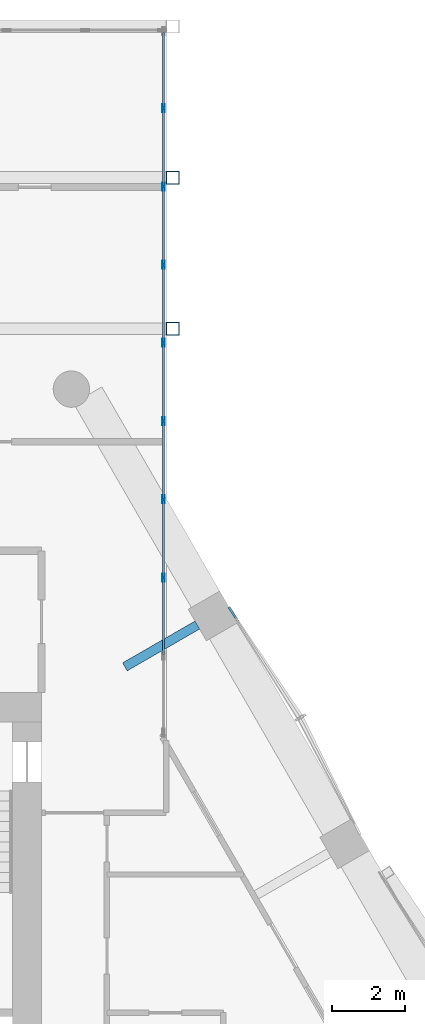
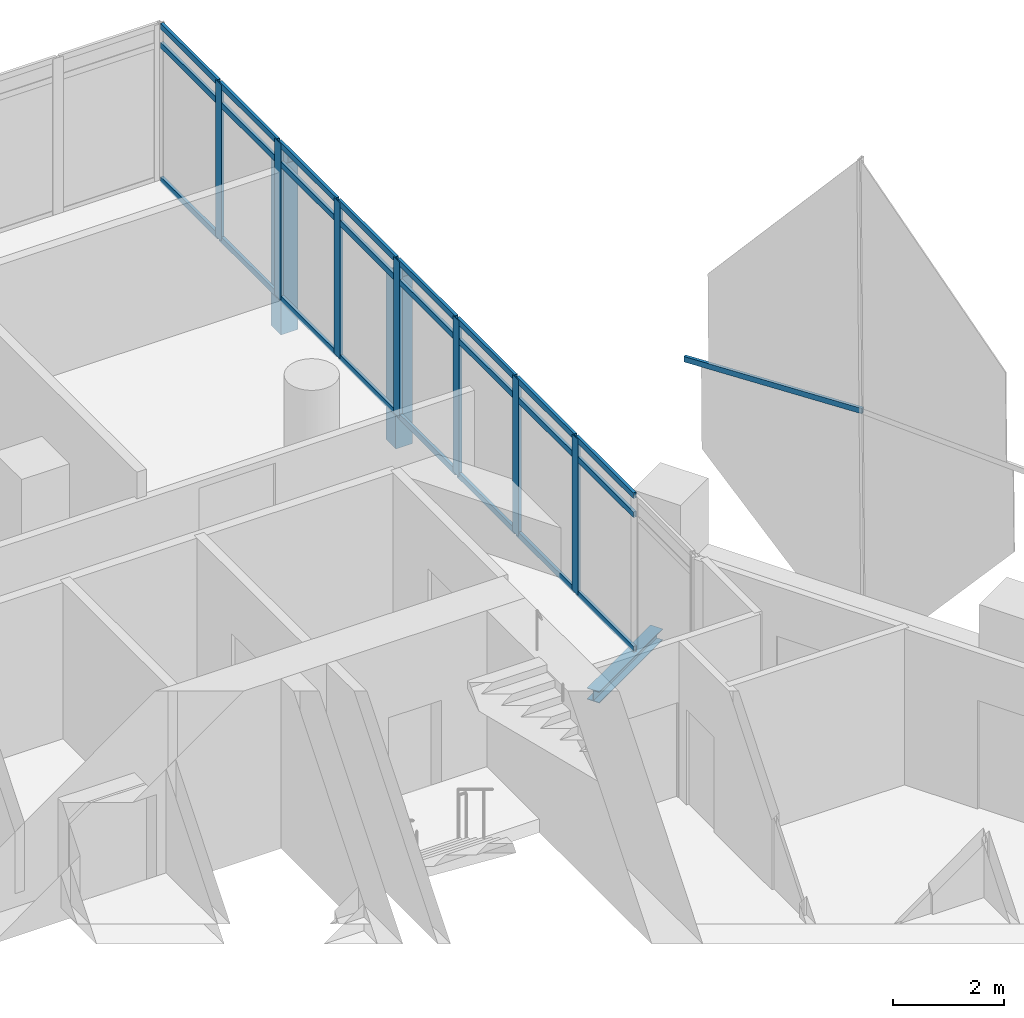
# One storey, part 24 of 37: 34 members, 1 beam, 2 elements without a shape of their own.
"""IFC4 building model written with IfcOpenShell, lengths in metres."""

from ifc_helpers import new_model, si_unit, direction, frame, origin, origin_2d, place, context, subcontext, project, spatial, hollow_rectangle, i_section, extrude, material, material_profile, profile_set, type_object, element, aggregate, save


model = new_model("IFC4")

# Units and contexts
model_context = context("Model", 3, precision=1e-05, world=origin(), true_north=direction((0.0, 1.0)))
body_context = subcontext(model_context, "Body", "Model", "MODEL_VIEW")
ifc_project = project(units=[si_unit("LENGTHUNIT", "METRE"), si_unit("AREAUNIT", "SQUARE_METRE"), si_unit("VOLUMEUNIT", "CUBIC_METRE"), si_unit("PLANEANGLEUNIT", "RADIAN"), si_unit("MASSUNIT", "GRAM", prefix="KILO")], contexts=[model_context])

# Site, building, storey
site_placement = place(None, origin())
site = spatial("IfcSite", under=ifc_project, at=site_placement, CompositionType="ELEMENT")
building_placement = place(site_placement, origin())
building = spatial("IfcBuilding", under=site, at=building_placement, Name="Ostrander Bayou Hotel Tower", CompositionType="ELEMENT")
storey_placement = place(building_placement, frame((0.0, 0.0, 198.25)))
storey = spatial("IfcBuildingStorey", under=building, at=storey_placement, Name="L49", CompositionType="ELEMENT", Elevation=198.25)

# Curtain wall, members
ifc_material_1 = material(Name="Aluminium and clear glass", Category="aluminium")
curtain_wall_type_1 = type_object("IfcCurtainWallType", Name="CW-BAR glazed wall", PredefinedType="NOTDEFINED", material=ifc_material_1)
curtain_wall_1_placement = place(storey_placement, origin())
curtain_wall_1 = element("IfcCurtainWall", 1, at=curtain_wall_1_placement, inside=storey, type_object=curtain_wall_type_1, Name="CW-BAR L49:SB4N:W", PredefinedType="NOTDEFINED")
ifc_material_2 = material(Name="Aluminium", Category="aluminium")
ifc_material_profile_1 = material_profile(ifc_material_2, hollow_rectangle(XDim=0.06005859375, YDim=0.219970703125, WallThickness=0.00390625, at=origin_2d()))
ifc_profile_set_1 = profile_set([ifc_material_profile_1], Name="Aluminium")
member_type_1 = type_object("IfcMemberType", Name="CW-BR mullion 60 x 220 mm", PredefinedType="MULLION", material=ifc_profile_set_1)
member_1_placement = place(storey_placement, frame((11.857177734375, 12.86474609375, 0.0), z_axis=(0.0, 0.0, 1.0), x_axis=(-1.0, 0.0, 0.0)))
member_1 = element("IfcMember", 2, at=member_1_placement, type_object=member_type_1, Name="CW-BAR mullion 3", PredefinedType="MULLION", context=body_context, shape_type="SweptSolid", body=[
    extrude(hollow_rectangle(XDim=0.06005859375, YDim=0.219970703125, WallThickness=0.00390625, at=origin_2d()), origin(), (0.0, 0.0, 1.0), 3.449951171875),
])
member_2_placement = place(storey_placement, frame((11.857177734375, 15.014892578125, 0.0), z_axis=(0.0, 0.0, 1.0), x_axis=(-1.0, 0.0, 0.0)))
member_2 = element("IfcMember", 3, at=member_2_placement, type_object=member_type_1, Name="CW-BAR mullion 4", PredefinedType="MULLION", context=body_context, shape_type="SweptSolid", body=[
    extrude(hollow_rectangle(XDim=0.06005859375, YDim=0.219970703125, WallThickness=0.00390625, at=origin_2d()), origin(), (0.0, 0.0, 1.0), 3.449951171875),
])
member_3_placement = place(storey_placement, frame((11.857177734375, 17.1650390625, 0.0), z_axis=(0.0, 0.0, 1.0), x_axis=(-1.0, 0.0, 0.0)))
member_3 = element("IfcMember", 4, at=member_3_placement, type_object=member_type_1, Name="CW-BAR mullion 5", PredefinedType="MULLION", context=body_context, shape_type="SweptSolid", body=[
    extrude(hollow_rectangle(XDim=0.06005859375, YDim=0.219970703125, WallThickness=0.00390625, at=origin_2d()), origin(), (0.0, 0.0, 1.0), 3.449951171875),
])
member_4_placement = place(storey_placement, frame((11.857177734375, 19.3154296875, 0.0), z_axis=(0.0, 0.0, 1.0), x_axis=(-1.0, 0.0, 0.0)))
member_4 = element("IfcMember", 5, at=member_4_placement, type_object=member_type_1, Name="CW-BAR mullion 6", PredefinedType="MULLION", context=body_context, shape_type="SweptSolid", body=[
    extrude(hollow_rectangle(XDim=0.06005859375, YDim=0.219970703125, WallThickness=0.00390625, at=origin_2d()), origin(), (0.0, 0.0, 1.0), 3.449951171875),
])
member_5_placement = place(storey_placement, frame((11.857177734375, 21.465576171875, 0.0), z_axis=(0.0, 0.0, 1.0), x_axis=(-1.0, 0.0, 0.0)))
member_5 = element("IfcMember", 6, at=member_5_placement, type_object=member_type_1, Name="CW-BAR mullion 7", PredefinedType="MULLION", context=body_context, shape_type="SweptSolid", body=[
    extrude(hollow_rectangle(XDim=0.06005859375, YDim=0.219970703125, WallThickness=0.00390625, at=origin_2d()), origin(), (0.0, 0.0, 1.0), 3.449951171875),
])
member_6_placement = place(storey_placement, frame((11.857177734375, 23.61572265625, 0.0), z_axis=(0.0, 0.0, 1.0), x_axis=(-1.0, 0.0, 0.0)))
member_6 = element("IfcMember", 7, at=member_6_placement, type_object=member_type_1, Name="CW-BAR mullion 8", PredefinedType="MULLION", context=body_context, shape_type="SweptSolid", body=[
    extrude(hollow_rectangle(XDim=0.06005859375, YDim=0.219970703125, WallThickness=0.00390625, at=origin_2d()), origin(), (0.0, 0.0, 1.0), 3.449951171875),
])
member_7_placement = place(storey_placement, frame((11.857177734375, 25.765869140625, 0.0), z_axis=(0.0, 0.0, 1.0), x_axis=(-1.0, 0.0, 0.0)))
member_7 = element("IfcMember", 8, at=member_7_placement, type_object=member_type_1, Name="CW-BAR mullion 9", PredefinedType="MULLION", context=body_context, shape_type="SweptSolid", body=[
    extrude(hollow_rectangle(XDim=0.06005859375, YDim=0.219970703125, WallThickness=0.00390625, at=origin_2d()), origin(), (0.0, 0.0, 1.0), 3.449951171875),
])
ifc_material_3 = material(Name="Aluminium", Category="aluminium")
ifc_material_profile_2 = material_profile(ifc_material_3, hollow_rectangle(XDim=0.06005859375, YDim=0.1298828125, WallThickness=0.00390625, at=origin_2d()))
ifc_profile_set_2 = profile_set([ifc_material_profile_2], Name="Aluminium")
member_type_2 = type_object("IfcMemberType", Name="CW-BR transom 60 x 130 mm", PredefinedType="USERDEFINED", material=ifc_profile_set_2)
member_8_placement = place(storey_placement, frame((11.857177734375, 10.74462890625, 0.030029296875), z_axis=(0.0, 1.0, 0.0), x_axis=(-1.0, 0.0, 0.0)))
member_8 = element("IfcMember", 9, at=member_8_placement, type_object=member_type_2, Name="CW-BAR transom 2.1", ObjectType="TRANSOM", PredefinedType="USERDEFINED", context=body_context, shape_type="SweptSolid", body=[
    extrude(hollow_rectangle(XDim=0.06005859375, YDim=0.1298828125, WallThickness=0.00390625, at=origin_2d()), origin(), (0.0, 0.0, 1.0), 2.090087890625),
])
member_9_placement = place(storey_placement, frame((11.857177734375, 10.74462890625, 3.0), z_axis=(0.0, 1.0, 0.0), x_axis=(-1.0, 0.0, 0.0)))
member_9 = element("IfcMember", 10, at=member_9_placement, type_object=member_type_2, Name="CW-BAR transom 2.2", ObjectType="TRANSOM", PredefinedType="USERDEFINED", context=body_context, shape_type="SweptSolid", body=[
    extrude(hollow_rectangle(XDim=0.06005859375, YDim=0.1298828125, WallThickness=0.00390625, at=origin_2d()), origin(), (0.0, 0.0, 1.0), 2.090087890625),
])
member_10_placement = place(storey_placement, frame((11.857177734375, 10.74462890625, 3.419921875), z_axis=(0.0, 1.0, 0.0), x_axis=(-1.0, 0.0, 0.0)))
member_10 = element("IfcMember", 11, at=member_10_placement, type_object=member_type_2, Name="CW-BAR transom 2.3", ObjectType="TRANSOM", PredefinedType="USERDEFINED", context=body_context, shape_type="SweptSolid", body=[
    extrude(hollow_rectangle(XDim=0.06005859375, YDim=0.1298828125, WallThickness=0.00390625, at=origin_2d()), origin(), (0.0, 0.0, 1.0), 2.090087890625),
])
member_11_placement = place(storey_placement, frame((11.857177734375, 12.894775390625, 0.030029296875), z_axis=(0.0, 1.0, 0.0), x_axis=(-1.0, 0.0, 0.0)))
member_11 = element("IfcMember", 12, at=member_11_placement, type_object=member_type_2, Name="CW-BAR transom 3.1", ObjectType="TRANSOM", PredefinedType="USERDEFINED", context=body_context, shape_type="SweptSolid", body=[
    extrude(hollow_rectangle(XDim=0.06005859375, YDim=0.1298828125, WallThickness=0.00390625, at=origin_2d()), origin(), (0.0, 0.0, 1.0), 2.090087890625),
])
member_12_placement = place(storey_placement, frame((11.857177734375, 12.894775390625, 3.0), z_axis=(0.0, 1.0, 0.0), x_axis=(-1.0, 0.0, 0.0)))
member_12 = element("IfcMember", 13, at=member_12_placement, type_object=member_type_2, Name="CW-BAR transom 3.2", ObjectType="TRANSOM", PredefinedType="USERDEFINED", context=body_context, shape_type="SweptSolid", body=[
    extrude(hollow_rectangle(XDim=0.06005859375, YDim=0.1298828125, WallThickness=0.00390625, at=origin_2d()), origin(), (0.0, 0.0, 1.0), 2.090087890625),
])
member_13_placement = place(storey_placement, frame((11.857177734375, 12.894775390625, 3.419921875), z_axis=(0.0, 1.0, 0.0), x_axis=(-1.0, 0.0, 0.0)))
member_13 = element("IfcMember", 14, at=member_13_placement, type_object=member_type_2, Name="CW-BAR transom 3.3", ObjectType="TRANSOM", PredefinedType="USERDEFINED", context=body_context, shape_type="SweptSolid", body=[
    extrude(hollow_rectangle(XDim=0.06005859375, YDim=0.1298828125, WallThickness=0.00390625, at=origin_2d()), origin(), (0.0, 0.0, 1.0), 2.090087890625),
])
member_14_placement = place(storey_placement, frame((11.857177734375, 15.044921875, 0.030029296875), z_axis=(0.0, 1.0, 0.0), x_axis=(-1.0, 0.0, 0.0)))
member_14 = element("IfcMember", 15, at=member_14_placement, type_object=member_type_2, Name="CW-BAR transom 4.1", ObjectType="TRANSOM", PredefinedType="USERDEFINED", context=body_context, shape_type="SweptSolid", body=[
    extrude(hollow_rectangle(XDim=0.06005859375, YDim=0.1298828125, WallThickness=0.00390625, at=origin_2d()), origin(), (0.0, 0.0, 1.0), 2.09033203125),
])
member_15_placement = place(storey_placement, frame((11.857177734375, 15.044921875, 3.0), z_axis=(0.0, 1.0, 0.0), x_axis=(-1.0, 0.0, 0.0)))
member_15 = element("IfcMember", 16, at=member_15_placement, type_object=member_type_2, Name="CW-BAR transom 4.2", ObjectType="TRANSOM", PredefinedType="USERDEFINED", context=body_context, shape_type="SweptSolid", body=[
    extrude(hollow_rectangle(XDim=0.06005859375, YDim=0.1298828125, WallThickness=0.00390625, at=origin_2d()), origin(), (0.0, 0.0, 1.0), 2.09033203125),
])
member_16_placement = place(storey_placement, frame((11.857177734375, 15.044921875, 3.419921875), z_axis=(0.0, 1.0, 0.0), x_axis=(-1.0, 0.0, 0.0)))
member_16 = element("IfcMember", 17, at=member_16_placement, type_object=member_type_2, Name="CW-BAR transom 4.3", ObjectType="TRANSOM", PredefinedType="USERDEFINED", context=body_context, shape_type="SweptSolid", body=[
    extrude(hollow_rectangle(XDim=0.06005859375, YDim=0.1298828125, WallThickness=0.00390625, at=origin_2d()), origin(), (0.0, 0.0, 1.0), 2.09033203125),
])
member_17_placement = place(storey_placement, frame((11.857177734375, 17.195068359375, 0.030029296875), z_axis=(0.0, 1.0, 0.0), x_axis=(-1.0, 0.0, 0.0)))
member_17 = element("IfcMember", 18, at=member_17_placement, type_object=member_type_2, Name="CW-BAR transom 5.1", ObjectType="TRANSOM", PredefinedType="USERDEFINED", context=body_context, shape_type="SweptSolid", body=[
    extrude(hollow_rectangle(XDim=0.06005859375, YDim=0.1298828125, WallThickness=0.00390625, at=origin_2d()), origin(), (0.0, 0.0, 1.0), 2.09033203125),
])
member_18_placement = place(storey_placement, frame((11.857177734375, 17.195068359375, 3.0), z_axis=(0.0, 1.0, 0.0), x_axis=(-1.0, 0.0, 0.0)))
member_18 = element("IfcMember", 19, at=member_18_placement, type_object=member_type_2, Name="CW-BAR transom 5.2", ObjectType="TRANSOM", PredefinedType="USERDEFINED", context=body_context, shape_type="SweptSolid", body=[
    extrude(hollow_rectangle(XDim=0.06005859375, YDim=0.1298828125, WallThickness=0.00390625, at=origin_2d()), origin(), (0.0, 0.0, 1.0), 2.09033203125),
])
member_19_placement = place(storey_placement, frame((11.857177734375, 17.195068359375, 3.419921875), z_axis=(0.0, 1.0, 0.0), x_axis=(-1.0, 0.0, 0.0)))
member_19 = element("IfcMember", 20, at=member_19_placement, type_object=member_type_2, Name="CW-BAR transom 5.3", ObjectType="TRANSOM", PredefinedType="USERDEFINED", context=body_context, shape_type="SweptSolid", body=[
    extrude(hollow_rectangle(XDim=0.06005859375, YDim=0.1298828125, WallThickness=0.00390625, at=origin_2d()), origin(), (0.0, 0.0, 1.0), 2.09033203125),
])
member_20_placement = place(storey_placement, frame((11.857177734375, 19.345458984375, 0.030029296875), z_axis=(0.0, 1.0, 0.0), x_axis=(-1.0, 0.0, 0.0)))
member_20 = element("IfcMember", 21, at=member_20_placement, type_object=member_type_2, Name="CW-BAR transom 6.1", ObjectType="TRANSOM", PredefinedType="USERDEFINED", context=body_context, shape_type="SweptSolid", body=[
    extrude(hollow_rectangle(XDim=0.06005859375, YDim=0.1298828125, WallThickness=0.00390625, at=origin_2d()), origin(), (0.0, 0.0, 1.0), 2.090087890625),
])
member_21_placement = place(storey_placement, frame((11.857177734375, 19.345458984375, 3.0), z_axis=(0.0, 1.0, 0.0), x_axis=(-1.0, 0.0, 0.0)))
member_21 = element("IfcMember", 22, at=member_21_placement, type_object=member_type_2, Name="CW-BAR transom 6.2", ObjectType="TRANSOM", PredefinedType="USERDEFINED", context=body_context, shape_type="SweptSolid", body=[
    extrude(hollow_rectangle(XDim=0.06005859375, YDim=0.1298828125, WallThickness=0.00390625, at=origin_2d()), origin(), (0.0, 0.0, 1.0), 2.090087890625),
])
member_22_placement = place(storey_placement, frame((11.857177734375, 19.345458984375, 3.419921875), z_axis=(0.0, 1.0, 0.0), x_axis=(-1.0, 0.0, 0.0)))
member_22 = element("IfcMember", 23, at=member_22_placement, type_object=member_type_2, Name="CW-BAR transom 6.3", ObjectType="TRANSOM", PredefinedType="USERDEFINED", context=body_context, shape_type="SweptSolid", body=[
    extrude(hollow_rectangle(XDim=0.06005859375, YDim=0.1298828125, WallThickness=0.00390625, at=origin_2d()), origin(), (0.0, 0.0, 1.0), 2.090087890625),
])
member_23_placement = place(storey_placement, frame((11.857177734375, 21.49560546875, 0.030029296875), z_axis=(0.0, 1.0, 0.0), x_axis=(-1.0, 0.0, 0.0)))
member_23 = element("IfcMember", 24, at=member_23_placement, type_object=member_type_2, Name="CW-BAR transom 7.1", ObjectType="TRANSOM", PredefinedType="USERDEFINED", context=body_context, shape_type="SweptSolid", body=[
    extrude(hollow_rectangle(XDim=0.06005859375, YDim=0.1298828125, WallThickness=0.00390625, at=origin_2d()), origin(), (0.0, 0.0, 1.0), 2.090087890625),
])
member_24_placement = place(storey_placement, frame((11.857177734375, 21.49560546875, 3.0), z_axis=(0.0, 1.0, 0.0), x_axis=(-1.0, 0.0, 0.0)))
member_24 = element("IfcMember", 25, at=member_24_placement, type_object=member_type_2, Name="CW-BAR transom 7.2", ObjectType="TRANSOM", PredefinedType="USERDEFINED", context=body_context, shape_type="SweptSolid", body=[
    extrude(hollow_rectangle(XDim=0.06005859375, YDim=0.1298828125, WallThickness=0.00390625, at=origin_2d()), origin(), (0.0, 0.0, 1.0), 2.090087890625),
])
member_25_placement = place(storey_placement, frame((11.857177734375, 21.49560546875, 3.419921875), z_axis=(0.0, 1.0, 0.0), x_axis=(-1.0, 0.0, 0.0)))
member_25 = element("IfcMember", 26, at=member_25_placement, type_object=member_type_2, Name="CW-BAR transom 7.3", ObjectType="TRANSOM", PredefinedType="USERDEFINED", context=body_context, shape_type="SweptSolid", body=[
    extrude(hollow_rectangle(XDim=0.06005859375, YDim=0.1298828125, WallThickness=0.00390625, at=origin_2d()), origin(), (0.0, 0.0, 1.0), 2.090087890625),
])
member_26_placement = place(storey_placement, frame((11.857177734375, 23.645751953125, 0.030029296875), z_axis=(0.0, 1.0, 0.0), x_axis=(-1.0, 0.0, 0.0)))
member_26 = element("IfcMember", 27, at=member_26_placement, type_object=member_type_2, Name="CW-BAR transom 8.1", ObjectType="TRANSOM", PredefinedType="USERDEFINED", context=body_context, shape_type="SweptSolid", body=[
    extrude(hollow_rectangle(XDim=0.06005859375, YDim=0.1298828125, WallThickness=0.00390625, at=origin_2d()), origin(), (0.0, 0.0, 1.0), 2.090087890625),
])
member_27_placement = place(storey_placement, frame((11.857177734375, 23.645751953125, 3.0), z_axis=(0.0, 1.0, 0.0), x_axis=(-1.0, 0.0, 0.0)))
member_27 = element("IfcMember", 28, at=member_27_placement, type_object=member_type_2, Name="CW-BAR transom 8.2", ObjectType="TRANSOM", PredefinedType="USERDEFINED", context=body_context, shape_type="SweptSolid", body=[
    extrude(hollow_rectangle(XDim=0.06005859375, YDim=0.1298828125, WallThickness=0.00390625, at=origin_2d()), origin(), (0.0, 0.0, 1.0), 2.090087890625),
])
member_28_placement = place(storey_placement, frame((11.857177734375, 23.645751953125, 3.419921875), z_axis=(0.0, 1.0, 0.0), x_axis=(-1.0, 0.0, 0.0)))
member_28 = element("IfcMember", 29, at=member_28_placement, type_object=member_type_2, Name="CW-BAR transom 8.3", ObjectType="TRANSOM", PredefinedType="USERDEFINED", context=body_context, shape_type="SweptSolid", body=[
    extrude(hollow_rectangle(XDim=0.06005859375, YDim=0.1298828125, WallThickness=0.00390625, at=origin_2d()), origin(), (0.0, 0.0, 1.0), 2.090087890625),
])
member_29_placement = place(storey_placement, frame((11.857177734375, 25.7958984375, 0.030029296875), z_axis=(0.0, 1.0, 0.0), x_axis=(-1.0, 0.0, 0.0)))
member_29 = element("IfcMember", 30, at=member_29_placement, type_object=member_type_2, Name="CW-BAR transom 9.1", ObjectType="TRANSOM", PredefinedType="USERDEFINED", context=body_context, shape_type="SweptSolid", body=[
    extrude(hollow_rectangle(XDim=0.06005859375, YDim=0.1298828125, WallThickness=0.00390625, at=origin_2d()), origin(), (0.0, 0.0, 1.0), 2.060302734375),
])
member_30_placement = place(storey_placement, frame((11.857177734375, 25.7958984375, 3.0), z_axis=(0.0, 1.0, 0.0), x_axis=(-1.0, 0.0, 0.0)))
member_30 = element("IfcMember", 31, at=member_30_placement, type_object=member_type_2, Name="CW-BAR transom 9.2", ObjectType="TRANSOM", PredefinedType="USERDEFINED", context=body_context, shape_type="SweptSolid", body=[
    extrude(hollow_rectangle(XDim=0.06005859375, YDim=0.1298828125, WallThickness=0.00390625, at=origin_2d()), origin(), (0.0, 0.0, 1.0), 2.060302734375),
])
member_31_placement = place(storey_placement, frame((11.857177734375, 25.7958984375, 3.419921875), z_axis=(0.0, 1.0, 0.0), x_axis=(-1.0, 0.0, 0.0)))
member_31 = element("IfcMember", 32, at=member_31_placement, type_object=member_type_2, Name="CW-BAR transom 9.3", ObjectType="TRANSOM", PredefinedType="USERDEFINED", context=body_context, shape_type="SweptSolid", body=[
    extrude(hollow_rectangle(XDim=0.06005859375, YDim=0.1298828125, WallThickness=0.00390625, at=origin_2d()), origin(), (0.0, 0.0, 1.0), 2.060302734375),
])
aggregate(curtain_wall_1, [member_1, member_2, member_3, member_4, member_5, member_6, member_7, member_8, member_9, member_10, member_11, member_12, member_13, member_14, member_15, member_16, member_17, member_18, member_19, member_20, member_21, member_22, member_23, member_24, member_25, member_26, member_27, member_28, member_29, member_30, member_31])

# Curtain wall, member
ifc_material_4 = material(Name="Aluminium and clear glass", Category="aluminium")
curtain_wall_type_2 = type_object("IfcCurtainWallType", Name="CW-LAT lattice glazing", PredefinedType="NOTDEFINED", material=ifc_material_4)
curtain_wall_2_placement = place(storey_placement, origin())
curtain_wall_2 = element("IfcCurtainWall", 33, at=curtain_wall_2_placement, inside=storey, type_object=curtain_wall_type_2, Name="CW-LAT L49 NE 2", PredefinedType="NOTDEFINED")
ifc_material_5 = material(Name="Aluminium", Category="aluminium")
ifc_material_profile_3 = material_profile(ifc_material_5, hollow_rectangle(XDim=0.06005859375, YDim=0.1201171875, WallThickness=0.00390625, at=origin_2d()))
ifc_profile_set_3 = profile_set([ifc_material_profile_3], Name="Aluminium")
member_type_3 = type_object("IfcMemberType", Name="CW-LA transom 60 x 120 mm", PredefinedType="USERDEFINED", material=ifc_profile_set_3)
member_32_placement = place(storey_placement, frame((15.622314453125, 9.01953125, 5.02490234375), z_axis=(-0.544446826203, 0.838795358498, 0.0), x_axis=(-0.838795358498, -0.544446826203, 0.0)))
member_32 = element("IfcMember", 34, at=member_32_placement, type_object=member_type_3, Name="CW-LAT transom 7", ObjectType="TRANSOM", PredefinedType="USERDEFINED", context=body_context, shape_type="SweptSolid", body=[
    extrude(hollow_rectangle(XDim=0.06005859375, YDim=0.1201171875, WallThickness=0.00390625, at=origin_2d()), origin(), (0.0, 0.0, 1.0), 3.61376953125),
])
aggregate(curtain_wall_2, [member_32])

# Beam
ifc_material_6 = material(Name="Steel ASTM A992", Category="steel")
ifc_material_profile_4 = material_profile(ifc_material_6, i_section(OverallWidth=0.25390625, OverallDepth=0.25341796875, WebThickness=0.008544921875, FlangeThickness=0.01416015625, at=origin_2d()))
ifc_profile_set_4 = profile_set([ifc_material_profile_4], Name="Steel ASTM A992")
beam_type = type_object("IfcBeamType", Name="LB2 loggia bracket W10x49", PredefinedType="BEAM", material=ifc_profile_set_4)
beam_placement = place(storey_placement, frame((12.7841796875, 11.55859375, -0.4267578125), z_axis=(-0.86602648383, -0.499998129301, 0.0), x_axis=(0.499998129301, -0.86602648383, 0.0)))
element("IfcBeam", 35, at=beam_placement, inside=storey, type_object=beam_type, Name="LB2 L49 NE2", PredefinedType="BEAM", context=body_context, shape_type="SweptSolid", body=[
    extrude(i_section(OverallWidth=0.25390625, OverallDepth=0.25341796875, WebThickness=0.008544921875, FlangeThickness=0.01416015625, at=origin_2d()), origin(), (0.0, 0.0, 1.0), 2.2998046875),
])

# Members
ifc_material_7 = material(Name="Steel ASTM A500 Gr C", Category="steel")
ifc_material_profile_5 = material_profile(ifc_material_7, hollow_rectangle(XDim=0.355712890625, YDim=0.355712890625, WallThickness=0.01171875, at=origin_2d()))
ifc_profile_set_5 = profile_set([ifc_material_profile_5], Name="Steel ASTM A500 Gr C")
member_type_4 = type_object("IfcMemberType", Name="TH2 bar hanger HSS14x14x1/2", PredefinedType="POST", material=ifc_profile_set_5)
for number, where, z_axis, x_axis, name in (
    (36, (12.110107421875, 23.861328125, -0.9111328125), (0.0, 0.0, 1.0), (1.0, 0.0, 0.0), "TH2 SB4WB H2-2"),
    (37, (12.110107421875, 19.706787109375, -0.9111328125), (0.0, 0.0, 1.0), (1.0, 0.0, 0.0), "TH2 SB4WB H3-2"),
):
    element("IfcMember", number, at=place(storey_placement, frame(where, z_axis=z_axis, x_axis=x_axis)), inside=storey, type_object=member_type_4, Name=name, PredefinedType="POST", context=body_context, shape_type="SweptSolid", body=[
        extrude(hollow_rectangle(XDim=0.355712890625, YDim=0.355712890625, WallThickness=0.01171875, at=origin_2d()), origin(), (0.0, 0.0, 1.0), 3.75),
    ])

save(model, "model.ifc")
